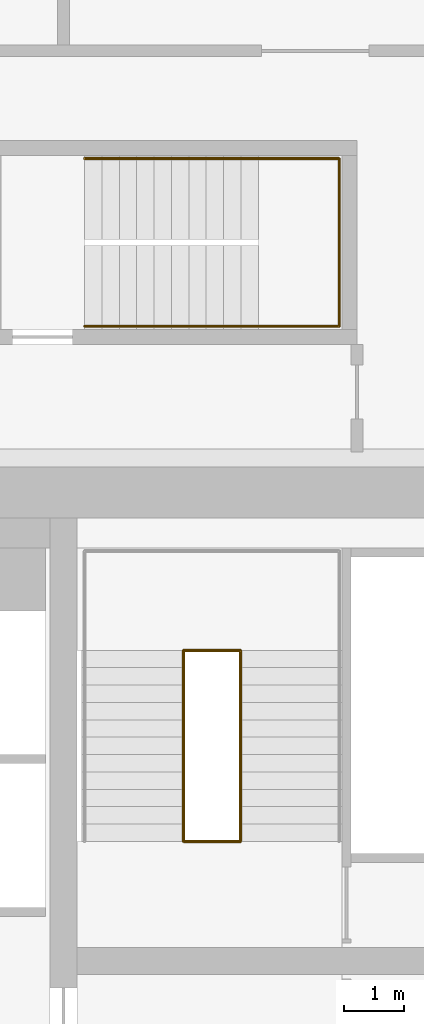
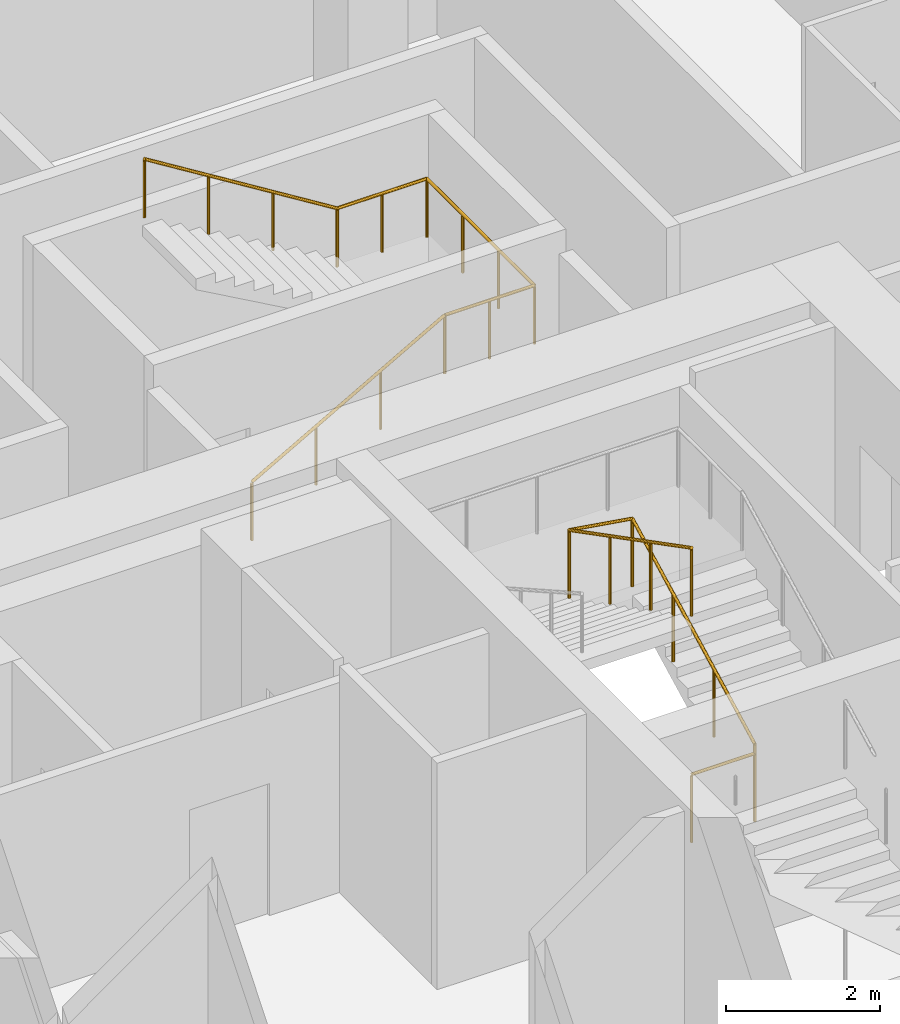
# One storey, part 23 of 23: 2 railings.
"""IFC4 building model written with IfcOpenShell, lengths in metres."""

from ifc_helpers import new_model, si_unit, direction, frame, origin, origin_2d, place, context, subcontext, project, spatial, circle, extrude, material, type_object, element, save


model = new_model("IFC4")

# Units and contexts
model_context = context("Model", 3, precision=1e-05, world=origin(), true_north=direction((0.0, 1.0)))
body_context = subcontext(model_context, "Body", "Model", "MODEL_VIEW")
ifc_project = project(units=[si_unit("LENGTHUNIT", "METRE"), si_unit("AREAUNIT", "SQUARE_METRE"), si_unit("VOLUMEUNIT", "CUBIC_METRE"), si_unit("PLANEANGLEUNIT", "RADIAN"), si_unit("MASSUNIT", "GRAM", prefix="KILO")], contexts=[model_context])

# Site, building, storey
site_placement = place(None, origin())
site = spatial("IfcSite", under=ifc_project, at=site_placement, CompositionType="ELEMENT")
building_placement = place(site_placement, origin())
building = spatial("IfcBuilding", under=site, at=building_placement, Name="Marenta Gate Hotel Tower", CompositionType="ELEMENT")
storey_placement = place(building_placement, frame((0.0, 0.0, 162.5)))
storey = spatial("IfcBuildingStorey", under=building, at=storey_placement, Name="L38", CompositionType="ELEMENT", Elevation=162.5)

# Railings
ifc_material_1 = material(Name="Stainless steel", Category="steel")
railing_type_1 = type_object("IfcRailingType", Name="Core stair handrail 950", PredefinedType="HANDRAIL", material=ifc_material_1)
railing_1_placement = place(storey_placement, frame((4.550048828125, 19.0, 0.16357421875)))
element("IfcRailing", 1, at=railing_1_placement, inside=storey, type_object=railing_type_1, Name="HR-950 L38-RS-Z2-4-KR-1", PredefinedType="HANDRAIL", context=body_context, shape_type="SweptSolid", body=[
    extrude(circle(Radius=0.02392578125, at=origin_2d()), frame((0.0, 0.0, 0.92578125), z_axis=(0.870897200241, 0.0, 0.491465224214), x_axis=(0.0, 1.0, 0.0)), (0.0, 0.0, 1.0), 3.329833984375),
    extrude(circle(Radius=0.02392578125, at=origin_2d()), frame((2.89990234375, 0.0, 2.5625), z_axis=(1.0, 0.0, 0.0), x_axis=(0.0, 1.0, 0.0)), (0.0, 0.0, 1.0), 1.35009765625),
    extrude(circle(Radius=0.02392578125, at=origin_2d()), frame((4.25, 0.0, 2.5625), z_axis=(0.0, 1.0, 0.0), x_axis=(-1.0, 0.0, 0.0)), (0.0, 0.0, 1.0), 2.800048828125),
    extrude(circle(Radius=0.02392578125, at=origin_2d()), frame((4.25, 2.800048828125, 2.5625), z_axis=(-1.0, 0.0, 0.0), x_axis=(0.0, -1.0, 0.0)), (0.0, 0.0, 1.0), 1.35009765625),
    extrude(circle(Radius=0.02392578125, at=origin_2d()), frame((2.89990234375, 2.800048828125, 2.5625), z_axis=(-0.849625798611, 0.0, 0.527386008853), x_axis=(0.0, -1.0, 0.0)), (0.0, 0.0, 1.0), 3.4130859375),
    extrude(circle(Radius=0.02099609375, at=origin_2d()), origin(), (0.0, 0.0, 1.0), 0.90185546875),
    extrude(circle(Radius=0.02099609375, at=origin_2d()), frame((0.966552734375, 0.0, 0.54541015625)), (0.0, 0.0, 1.0), 0.90185546875),
    extrude(circle(Radius=0.02099609375, at=origin_2d()), frame((1.933349609375, 0.0, 1.091064453125)), (0.0, 0.0, 1.0), 0.90185546875),
    extrude(circle(Radius=0.02099609375, at=origin_2d()), frame((2.89990234375, 0.0, 1.636474609375)), (0.0, 0.0, 1.0), 0.90185546875),
    extrude(circle(Radius=0.02099609375, at=origin_2d()), frame((3.574951171875, 0.0, 1.636474609375)), (0.0, 0.0, 1.0), 0.90185546875),
    extrude(circle(Radius=0.02099609375, at=origin_2d()), frame((4.25, 0.0, 1.636474609375)), (0.0, 0.0, 1.0), 0.90185546875),
    extrude(circle(Radius=0.02099609375, at=origin_2d()), frame((4.25, 0.933349609375, 1.636474609375)), (0.0, 0.0, 1.0), 0.90185546875),
    extrude(circle(Radius=0.02099609375, at=origin_2d()), frame((4.25, 1.86669921875, 1.636474609375)), (0.0, 0.0, 1.0), 0.90185546875),
    extrude(circle(Radius=0.02099609375, at=origin_2d()), frame((4.25, 2.800048828125, 1.636474609375)), (0.0, 0.0, 1.0), 0.90185546875),
    extrude(circle(Radius=0.02099609375, at=origin_2d()), frame((3.574951171875, 2.800048828125, 1.636474609375)), (0.0, 0.0, 1.0), 0.90185546875),
    extrude(circle(Radius=0.02099609375, at=origin_2d()), frame((2.89990234375, 2.800048828125, 1.636474609375)), (0.0, 0.0, 1.0), 0.90185546875),
    extrude(circle(Radius=0.02099609375, at=origin_2d()), frame((1.933349609375, 2.800048828125, 2.236572265625)), (0.0, 0.0, 1.0), 0.90185546875),
    extrude(circle(Radius=0.02099609375, at=origin_2d()), frame((0.966552734375, 2.800048828125, 2.83642578125)), (0.0, 0.0, 1.0), 0.90185546875),
    extrude(circle(Radius=0.02099609375, at=origin_2d()), frame((0.0, 2.800048828125, 3.4365234375)), (0.0, 0.0, 1.0), 0.90185546875),
])
ifc_material_2 = material(Name="Stainless steel", Category="steel")
railing_type_2 = type_object("IfcRailingType", Name="Core stair well guard 1100", PredefinedType="GUARDRAIL", material=ifc_material_2)
railing_2_placement = place(storey_placement, frame((6.199951171875, 10.39990234375, 0.0)))
element("IfcRailing", 2, at=railing_2_placement, inside=storey, type_object=railing_type_2, Name="GR-1100 L38-KR-ST4-2", PredefinedType="GUARDRAIL", context=body_context, shape_type="SweptSolid", body=[
    extrude(circle(Radius=0.02392578125, at=origin_2d()), frame((0.0, 0.0, 1.076171875), z_axis=(1.0, 0.0, 0.0), x_axis=(0.0, 1.0, 0.0)), (0.0, 0.0, 1.0), 0.949951171875),
    extrude(circle(Radius=0.02392578125, at=origin_2d()), frame((0.949951171875, 0.0, 1.076171875), z_axis=(0.0, 0.0, 1.0), x_axis=(1.0, 0.0, 0.0)), (0.0, 0.0, 1.0), 0.14990234375),
    extrude(circle(Radius=0.02392578125, at=origin_2d()), frame((0.949951171875, 0.0, 1.22607421875), z_axis=(0.0, 0.888211904222, 0.459434013977), x_axis=(-1.0, 0.0, 0.0)), (0.0, 0.0, 1.0), 3.591796875),
    extrude(circle(Radius=0.02392578125, at=origin_2d()), frame((0.949951171875, 3.190185546875, 2.8759765625), z_axis=(-0.987777369502, 0.0, 0.15587131968), x_axis=(0.0, -1.0, 0.0)), (0.0, 0.0, 1.0), 0.961669921875),
    extrude(circle(Radius=0.02392578125, at=origin_2d()), frame((0.0, 3.190185546875, 3.02587890625), z_axis=(0.0, -0.888211904222, 0.459434013977), x_axis=(1.0, 0.0, 0.0)), (0.0, 0.0, 1.0), 3.591796875),
    extrude(circle(Radius=0.02099609375, at=origin_2d()), origin(), (0.0, 0.0, 1.0), 1.052001953125),
    extrude(circle(Radius=0.02099609375, at=origin_2d()), frame((0.949951171875, 0.0, 0.0)), (0.0, 0.0, 1.0), 1.052001953125),
    extrude(circle(Radius=0.02099609375, at=origin_2d()), frame((0.949951171875, 0.0, 0.14990234375)), (0.0, 0.0, 1.0), 1.052001953125),
    extrude(circle(Radius=0.02099609375, at=origin_2d()), frame((0.949951171875, 1.0634765625, 0.699951171875)), (0.0, 0.0, 1.0), 1.052001953125),
    extrude(circle(Radius=0.02099609375, at=origin_2d()), frame((0.949951171875, 2.126708984375, 1.25)), (0.0, 0.0, 1.0), 1.052001953125),
    extrude(circle(Radius=0.02099609375, at=origin_2d()), frame((0.949951171875, 3.190185546875, 1.800048828125)), (0.0, 0.0, 1.0), 1.052001953125),
    extrude(circle(Radius=0.02099609375, at=origin_2d()), frame((0.0, 3.190185546875, 1.949951171875)), (0.0, 0.0, 1.0), 1.052001953125),
    extrude(circle(Radius=0.02099609375, at=origin_2d()), frame((0.0, 2.126708984375, 2.5)), (0.0, 0.0, 1.0), 1.052001953125),
    extrude(circle(Radius=0.02099609375, at=origin_2d()), frame((0.0, 1.0634765625, 3.050048828125)), (0.0, 0.0, 1.0), 1.052001953125),
    extrude(circle(Radius=0.02099609375, at=origin_2d()), frame((0.0, 0.0, 3.60009765625)), (0.0, 0.0, 1.0), 1.052001953125),
])

save(model, "model.ifc")
